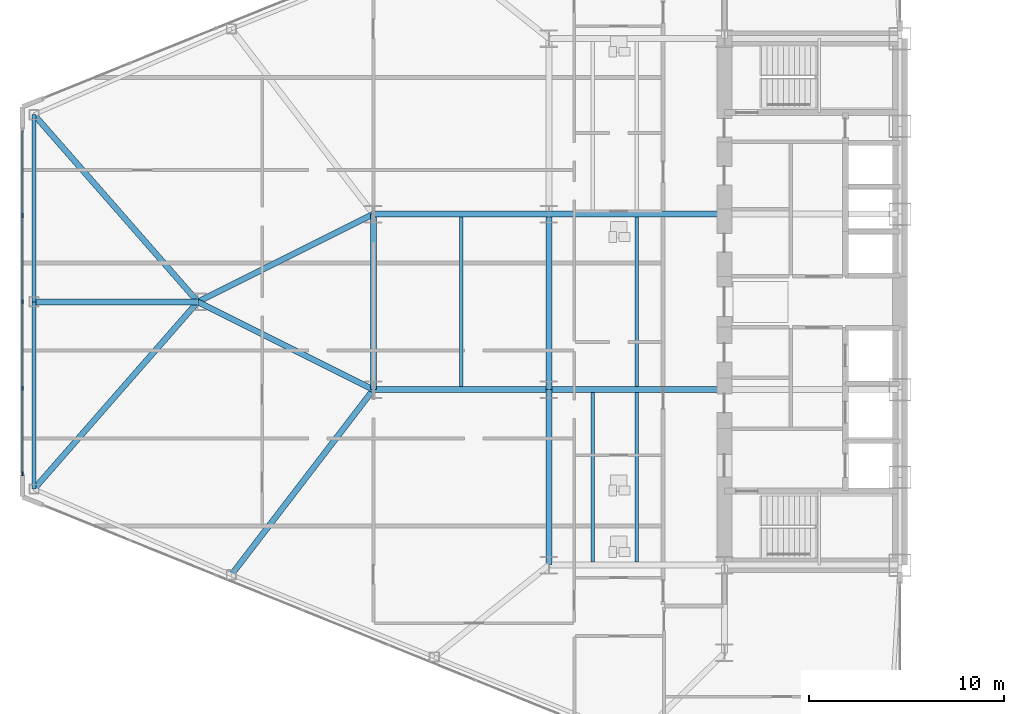
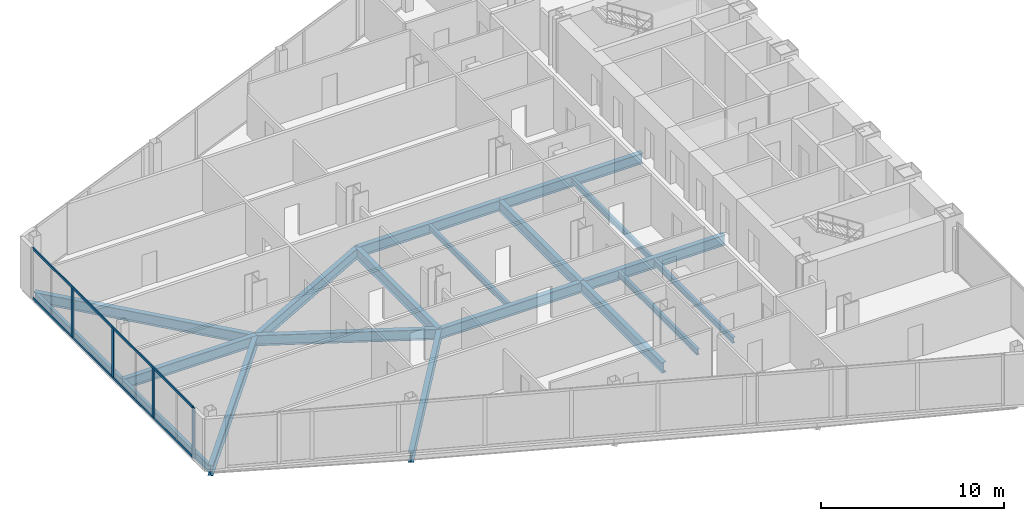
# One storey, part 4 of 25: 19 beams, 6 members, 1 element without a shape of its own.
"""IFC4 building model written with IfcOpenShell, lengths in metres."""

from ifc_helpers import new_model, si_unit, direction, frame, origin, origin_2d, place, context, subcontext, project, spatial, rectangle, i_section, extrude, source, transform, mapped, material, layer, layer_set, material_profile, profile_set, type_object, type_shapes, element, aggregate, save


model = new_model("IFC4")

# Units and contexts
model_context = context("Model", 3, precision=1e-05, world=origin(), true_north=direction((0.0, 1.0)))
body_context = subcontext(model_context, "Body", "Model", "MODEL_VIEW")
ifc_project = project(units=[si_unit("LENGTHUNIT", "METRE"), si_unit("AREAUNIT", "SQUARE_METRE"), si_unit("VOLUMEUNIT", "CUBIC_METRE"), si_unit("PLANEANGLEUNIT", "RADIAN"), si_unit("MASSUNIT", "GRAM", prefix="KILO")], contexts=[model_context])

# Site, building, storey
site_placement = place(None, origin())
site = spatial("IfcSite", under=ifc_project, at=site_placement, CompositionType="ELEMENT")
building_placement = place(site_placement, origin())
building = spatial("IfcBuilding", under=site, at=building_placement, Name="Seokmaru Belvedere", CompositionType="ELEMENT")
storey_placement = place(building_placement, frame((0.0, 0.0, 26.10009765625)))
storey = spatial("IfcBuildingStorey", under=building, at=storey_placement, Name="L06", CompositionType="ELEMENT", Elevation=26.10009765625)

# Beams
ifc_material_1 = material(Name="Steel SM355 (355 MPa)", Category="steel")
ifc_material_profile_1 = material_profile(ifc_material_1, i_section(OverallWidth=0.300048828125, OverallDepth=0.699951171875, WebThickness=0.012939453125, FlangeThickness=0.02392578125, at=origin_2d()), Name="H-700x300x13x24")
ifc_profile_set_1 = profile_set([ifc_material_profile_1], Name="Steel SM355 (355 MPa)")
beam_type_1 = type_object("IfcBeamType", Name="Primary Floor Girder H-700", PredefinedType="BEAM", material=ifc_profile_set_1)
shared_shape_1 = source(origin(), body_context, "Body", "SweptSolid", [
    extrude(i_section(OverallWidth=0.300048828125, OverallDepth=0.699951171875, WebThickness=0.012939453125, FlangeThickness=0.02392578125, at=origin_2d()), origin(), (0.0, 0.0, 1.0), 9.0),
])
for number, where, z_axis, x_axis, name in (
    (1, (-45.5, -13.5, -0.570068359375), (0.0, 1.0, 0.0), (-1.0, 0.0, 0.0), "L06 W Interior Grid Girder 1"),
    (2, (-45.5, -4.5, -0.570068359375), (0.0, 1.0, 0.0), (-1.0, 0.0, 0.0), "L06 W Interior Grid Girder 2"),
    (3, (-45.5, -4.5, -0.570068359375), (1.0, 0.0, 0.0), (0.0, 1.0, 0.0), "L06 W Wing Primary Girder 2"),
    (4, (-45.5, 4.5, -0.570068359375), (1.0, 0.0, 0.0), (0.0, 1.0, 0.0), "L06 W Wing Primary Girder 3"),
    (5, (-54.5, -4.5, -0.570068359375), (1.0, 0.0, 0.0), (0.0, 1.0, 0.0), "L06 W Outer Wing Girder 1"),
    (6, (-54.5, 4.5, -0.570068359375), (1.0, 0.0, 0.0), (0.0, 1.0, 0.0), "L06 W Outer Wing Girder 2"),
    (7, (-54.5, -4.5, -0.570068359375), (0.0, 1.0, 0.0), (-1.0, 0.0, 0.0), "L06 W Apex Frame Girder"),
):
    element("IfcBeam", number, at=place(storey_placement, frame(where, z_axis=z_axis, x_axis=x_axis)), inside=storey, type_object=beam_type_1, Name=name, PredefinedType="BEAM", context=body_context, shape_type="MappedRepresentation", body=[
        mapped(shared_shape_1, transform((0.0, 0.0, 0.0), scale=1.0)),
    ])
shared_shape_2 = source(origin(), body_context, "Body", "SweptSolid", [
    extrude(i_section(OverallWidth=0.300048828125, OverallDepth=0.699951171875, WebThickness=0.012939453125, FlangeThickness=0.02392578125, at=origin_2d()), origin(), (0.0, 0.0, 1.0), 10.062255859375),
])
for number, where, z_axis, x_axis, name in (
    (8, (-54.5, -4.5, -0.570068359375), (-0.894427191, 0.4472135955, 0.0), (-0.4472135955, -0.894427191, 0.0), "L06 W Apex Converging Girder 1"),
    (9, (-54.5, 4.5, -0.570068359375), (-0.894427191, -0.4472135955, 0.0), (0.4472135955, -0.894427191, 0.0), "L06 W Apex Converging Girder 2"),
):
    element("IfcBeam", number, at=place(storey_placement, frame(where, z_axis=z_axis, x_axis=x_axis)), inside=storey, type_object=beam_type_1, Name=name, PredefinedType="BEAM", context=body_context, shape_type="MappedRepresentation", body=[
        mapped(shared_shape_2, transform((0.0, 0.0, 0.0), scale=1.0)),
    ])
ifc_material_profile_2 = material_profile(ifc_material_1, i_section(OverallWidth=0.18505859375, OverallDepth=0.389892578125, WebThickness=0.008056640625, FlangeThickness=0.011962890625, at=origin_2d()), Name="H-390x185x8x12")
ifc_profile_set_2 = profile_set([ifc_material_profile_2], Name="Steel SM355 (355 MPa)")
beam_type_2 = type_object("IfcBeamType", Name="Secondary Floor Joist H-350", PredefinedType="JOIST", material=ifc_profile_set_2)
shared_shape_3 = source(origin(), body_context, "Body", "SweptSolid", [
    extrude(i_section(OverallWidth=0.18505859375, OverallDepth=0.389892578125, WebThickness=0.008056640625, FlangeThickness=0.011962890625, at=origin_2d()), origin(), (0.0, 0.0, 1.0), 8.68994140625),
])
type_shapes(beam_type_2, [shared_shape_3])
for number, where, z_axis, x_axis, name in (
    (10, (-43.25, -13.344970703125, -0.4150390625), (0.0, 1.0, 0.0), (-1.0, 0.0, 0.0), "L06 W Wing Inner Secondary Joist 1"),
    (11, (-41.0, -13.344970703125, -0.4150390625), (0.0, 1.0, 0.0), (-1.0, 0.0, 0.0), "L06 W Secondary Floor Joist 1"),
    (12, (-41.0, -4.344970703125, -0.4150390625), (0.0, 1.0, 0.0), (-1.0, 0.0, 0.0), "L06 W Secondary Floor Joist 2"),
    (13, (-50.0, -4.344970703125, -0.4150390625), (0.0, 1.0, 0.0), (-1.0, 0.0, 0.0), "L06 W Outer Bay Secondary Joist"),
):
    element("IfcBeam", number, at=place(storey_placement, frame(where, z_axis=z_axis, x_axis=x_axis)), inside=storey, type_object=beam_type_2, Name=name, PredefinedType="JOIST", context=body_context, shape_type="MappedRepresentation", body=[
        mapped(shared_shape_3, transform((0.0, 0.0, 0.0), scale=1.0)),
    ])
shared_shape_4 = source(origin(), body_context, "Body", "SweptSolid", [
    extrude(i_section(OverallWidth=0.300048828125, OverallDepth=0.699951171875, WebThickness=0.012939453125, FlangeThickness=0.02392578125, at=origin_2d()), origin(), (0.0, 0.0, 1.0), 12.7529296875),
])
for number, where, z_axis, x_axis, name in (
    (14, (-71.89990234375, -9.595703125, -0.570068359375), (0.658667231479, 0.752434368019, 0.0), (-0.752434368019, 0.658667231479, 0.0), "L06 W Apex Radial Floor Girder 1"),
    (15, (-71.89990234375, 9.595703125, -0.570068359375), (0.658667231479, -0.752434368019, 0.0), (0.752434368019, 0.658667231479, 0.0), "L06 W Apex Radial Floor Girder 2"),
):
    element("IfcBeam", number, at=place(storey_placement, frame(where, z_axis=z_axis, x_axis=x_axis)), inside=storey, type_object=beam_type_1, Name=name, PredefinedType="BEAM", context=body_context, shape_type="MappedRepresentation", body=[
        mapped(shared_shape_4, transform((0.0, 0.0, 0.0), scale=1.0)),
    ])
ifc_material_profile_3 = material_profile(ifc_material_1, i_section(OverallWidth=0.199951171875, OverallDepth=0.5, WebThickness=0.010009765625, FlangeThickness=0.01611328125, at=origin_2d()), Name="H-500x200x10x16")
ifc_profile_set_3 = profile_set([ifc_material_profile_3], Name="Steel SM355 (355 MPa)")
beam_type_3 = type_object("IfcBeamType", Name="Perimeter Spandrel Beam H-500", PredefinedType="SPANDREL", material=ifc_profile_set_3)
shared_shape_5 = source(origin(), body_context, "Body", "SweptSolid", [
    extrude(i_section(OverallWidth=0.199951171875, OverallDepth=0.5, WebThickness=0.010009765625, FlangeThickness=0.01611328125, at=origin_2d()), origin(), (0.0, 0.0, 1.0), 9.595703125),
])
type_shapes(beam_type_3, [shared_shape_5])
for number, where, z_axis, x_axis, name in (
    (16, (-71.89990234375, -9.595703125, -0.47021484375), (0.0, 1.0, 0.0), (-1.0, 0.0, 0.0), "L06 W Faceted Apex Spandrel S"),
    (17, (-71.89990234375, 0.0, -0.47021484375), (0.0, 1.0, 0.0), (-1.0, 0.0, 0.0), "L06 W Faceted Apex Spandrel N"),
):
    element("IfcBeam", number, at=place(storey_placement, frame(where, z_axis=z_axis, x_axis=x_axis)), inside=storey, type_object=beam_type_3, Name=name, PredefinedType="SPANDREL", context=body_context, shape_type="MappedRepresentation", body=[
        mapped(shared_shape_5, transform((0.0, 0.0, 0.0), scale=1.0)),
    ])
shared_shape_6 = source(origin(), body_context, "Body", "SweptSolid", [
    extrude(i_section(OverallWidth=0.300048828125, OverallDepth=0.699951171875, WebThickness=0.012939453125, FlangeThickness=0.02392578125, at=origin_2d()), origin(), (0.0, 0.0, 1.0), 11.96337890625),
])
beam_1_placement = place(storey_placement, frame((-61.779052734375, -13.994140625, -0.570068359375), z_axis=(0.608442682624, 0.793597821294, 0.0), x_axis=(-0.793597821294, 0.608442682624, 0.0)))
element("IfcBeam", 18, at=beam_1_placement, inside=storey, type_object=beam_type_1, Name="L06 W Flank Radial Floor Girder S-3", PredefinedType="BEAM", context=body_context, shape_type="MappedRepresentation", body=[
    mapped(shared_shape_6, transform((0.0, 0.0, 0.0), scale=1.0)),
])
shared_shape_7 = source(origin(), body_context, "Body", "SweptSolid", [
    extrude(i_section(OverallWidth=0.300048828125, OverallDepth=0.699951171875, WebThickness=0.012939453125, FlangeThickness=0.02392578125, at=origin_2d()), origin(), (0.0, 0.0, 1.0), 8.39990234375),
])
type_shapes(beam_type_1, [shared_shape_1, shared_shape_2, shared_shape_4, shared_shape_6, shared_shape_7])
beam_2_placement = place(storey_placement, frame((-71.89990234375, 0.0, -0.570068359375), z_axis=(1.0, 0.0, 0.0), x_axis=(0.0, 1.0, 0.0)))
element("IfcBeam", 19, at=beam_2_placement, inside=storey, type_object=beam_type_1, Name="L06 W Apex Center Radial Girder", PredefinedType="BEAM", context=body_context, shape_type="MappedRepresentation", body=[
    mapped(shared_shape_7, transform((0.0, 0.0, 0.0), scale=1.0)),
])

# Curtain wall, members
ifc_material_2 = material(Name="Bronze Triple Insulating Glass", Category="glass")
ifc_layer = layer(ifc_material_2, 0.2099609375)
ifc_layer_set = layer_set([ifc_layer], Name="Bronze Triple Insulating Glass")
curtain_wall_type = type_object("IfcCurtainWallType", Name="Low-Rise Faceted Crystal Curtain Wall System CW-2", PredefinedType="NOTDEFINED", material=ifc_layer_set)
curtain_wall_placement = place(storey_placement, origin())
curtain_wall = element("IfcCurtainWall", 20, at=curtain_wall_placement, inside=storey, type_object=curtain_wall_type, Name="L06 Curtain Wall WF4", PredefinedType="NOTDEFINED")
ifc_material_3 = material(Name="Anodised Bronze Aluminium", Category="aluminium")
ifc_material_profile_4 = material_profile(ifc_material_3, rectangle(XDim=0.074951171875, YDim=0.2099609375, at=origin_2d()), Name="CW-M-75x210")
ifc_profile_set_4 = profile_set([ifc_material_profile_4], Name="Anodised Bronze Aluminium")
member_type_1 = type_object("IfcMemberType", Name="Bronze Unitised Mullion 75x210", PredefinedType="MULLION", material=ifc_profile_set_4)
shared_shape_8 = source(origin(), body_context, "Body", "SweptSolid", [
    extrude(rectangle(XDim=0.074951171875, YDim=0.2099609375, at=origin_2d()), origin(), (0.0, 0.0, 1.0), 3.239990234375),
])
member_1_placement = place(storey_placement, frame((-72.5, 4.425048828125, 0.06982421875), z_axis=(0.0, 0.0, 1.0), x_axis=(1.0, 0.0, 0.0)))
member_1 = element("IfcMember", 21, at=member_1_placement, type_object=member_type_1, Name="CW:L06:WF4 Mullion 2", PredefinedType="MULLION", context=body_context, shape_type="MappedRepresentation", body=[
    mapped(shared_shape_8, transform((0.0, 0.0, 0.0), scale=1.0)),
])
member_2_placement = place(storey_placement, frame((-72.5, 0.0, 0.06982421875), z_axis=(0.0, 0.0, 1.0), x_axis=(1.0, 0.0, 0.0)))
member_2 = element("IfcMember", 22, at=member_2_placement, type_object=member_type_1, Name="CW:L06:WF4 Mullion 3", PredefinedType="MULLION", context=body_context, shape_type="MappedRepresentation", body=[
    mapped(shared_shape_8, transform((0.0, 0.0, 0.0), scale=1.0)),
])
member_3_placement = place(storey_placement, frame((-72.5, -4.425048828125, 0.06982421875), z_axis=(0.0, 0.0, 1.0), x_axis=(1.0, 0.0, 0.0)))
member_3 = element("IfcMember", 23, at=member_3_placement, type_object=member_type_1, Name="CW:L06:WF4 Mullion 4", PredefinedType="MULLION", context=body_context, shape_type="MappedRepresentation", body=[
    mapped(shared_shape_8, transform((0.0, 0.0, 0.0), scale=1.0)),
])
ifc_material_profile_5 = material_profile(ifc_material_3, rectangle(XDim=0.070068359375, YDim=0.1650390625, at=origin_2d()), Name="CW-T-70x165")
ifc_profile_set_5 = profile_set([ifc_material_profile_5], Name="Anodised Bronze Aluminium")
member_type_2 = type_object("IfcMemberType", Name="Bronze Unitised Transom 70x165", PredefinedType="USERDEFINED", material=ifc_profile_set_5)
shared_shape_9 = source(origin(), body_context, "Body", "SweptSolid", [
    extrude(rectangle(XDim=0.070068359375, YDim=0.1650390625, at=origin_2d()), origin(), (0.0, 0.0, 1.0), 17.5498046875),
])
type_shapes(member_type_2, [shared_shape_9])
member_4_placement = place(storey_placement, frame((-72.5, 8.77490234375, 0.034912109375), z_axis=(0.0, -1.0, 0.0), x_axis=(1.0, 0.0, 0.0)))
member_4 = element("IfcMember", 24, at=member_4_placement, type_object=member_type_2, Name="CW:L06:WF4 Continuous Transom 1", ObjectType="TRANSOM", PredefinedType="USERDEFINED", context=body_context, shape_type="MappedRepresentation", body=[
    mapped(shared_shape_9, transform((0.0, 0.0, 0.0), scale=1.0)),
])
member_5_placement = place(storey_placement, frame((-72.5, 8.77490234375, 3.344970703125), z_axis=(0.0, -1.0, 0.0), x_axis=(1.0, 0.0, 0.0)))
member_5 = element("IfcMember", 25, at=member_5_placement, type_object=member_type_2, Name="CW:L06:WF4 Continuous Transom 2", ObjectType="TRANSOM", PredefinedType="USERDEFINED", context=body_context, shape_type="MappedRepresentation", body=[
    mapped(shared_shape_9, transform((0.0, 0.0, 0.0), scale=1.0)),
])
shared_shape_10 = source(origin(), body_context, "Body", "SweptSolid", [
    extrude(rectangle(XDim=0.074951171875, YDim=0.2099609375, at=origin_2d()), origin(), (0.0, 0.0, 1.0), 3.3798828125),
])
type_shapes(member_type_1, [shared_shape_8, shared_shape_10])
member_6_placement = place(storey_placement, frame((-72.5, -8.8125, 0.0), z_axis=(0.0, 0.0, 1.0), x_axis=(1.0, 0.0, 0.0)))
member_6 = element("IfcMember", 26, at=member_6_placement, type_object=member_type_1, Name="CW:L06:WF4 Mullion 5", PredefinedType="MULLION", context=body_context, shape_type="MappedRepresentation", body=[
    mapped(shared_shape_10, transform((0.0, 0.0, 0.0), scale=1.0)),
])
aggregate(curtain_wall, [member_1, member_2, member_3, member_6, member_4, member_5])

save(model, "model.ifc")
